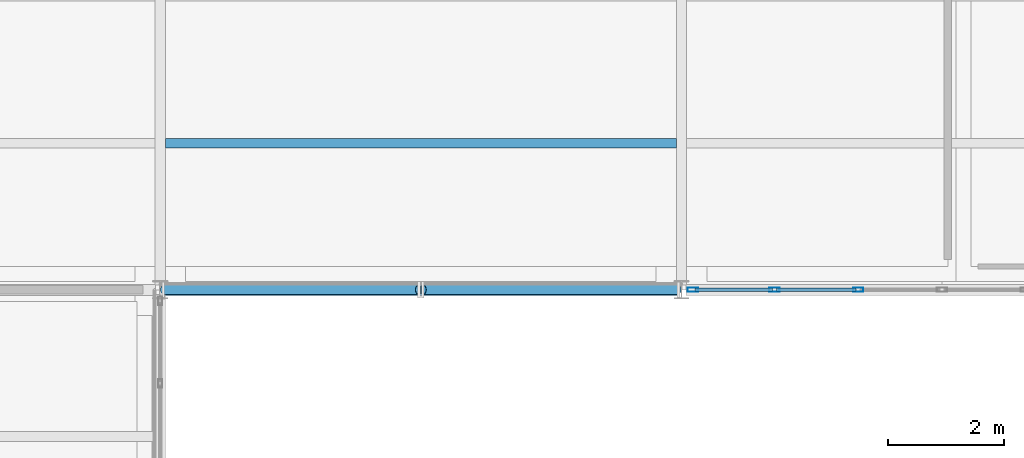
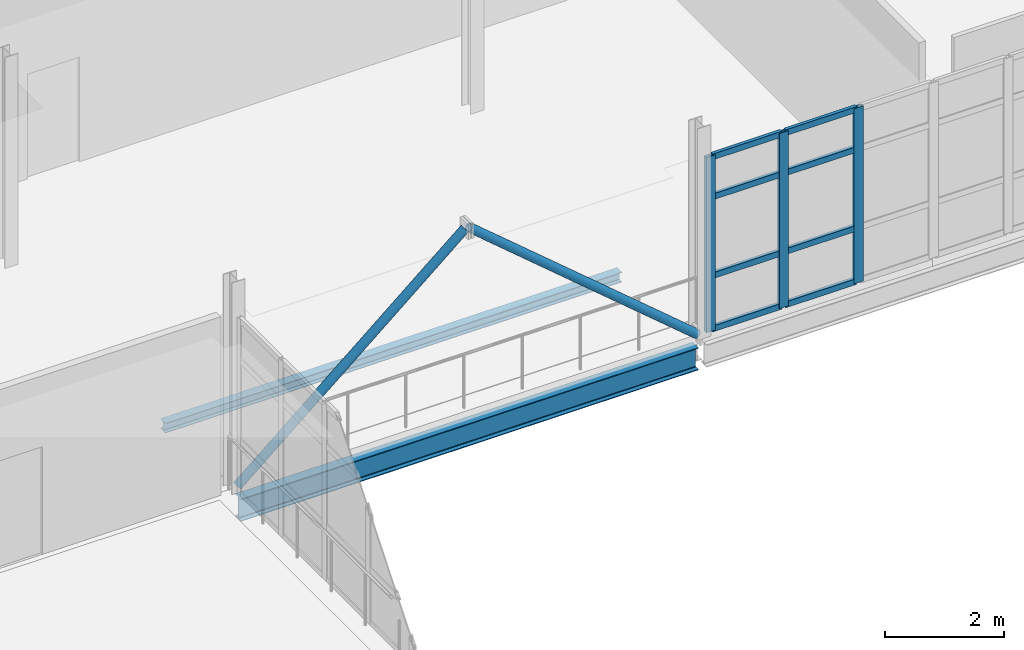
# One storey, part 83 of 174: 13 members, 2 beams, 1 element without a shape of its own.
"""IFC4 building model written with IfcOpenShell, lengths in metres."""

from ifc_helpers import new_model, si_unit, direction, frame, origin, origin_2d, place, context, subcontext, project, spatial, hollow_rectangle, hollow_circle, i_section, extrude, material, material_profile, profile_set, type_object, element, aggregate, save


model = new_model("IFC4")

# Units and contexts
model_context = context("Model", 3, precision=1e-05, world=origin(), true_north=direction((0.0, 1.0)))
body_context = subcontext(model_context, "Body", "Model", "MODEL_VIEW")
ifc_project = project(units=[si_unit("LENGTHUNIT", "METRE"), si_unit("AREAUNIT", "SQUARE_METRE"), si_unit("VOLUMEUNIT", "CUBIC_METRE"), si_unit("PLANEANGLEUNIT", "RADIAN"), si_unit("MASSUNIT", "GRAM", prefix="KILO")], contexts=[model_context])

# Site, building, storey
site_placement = place(None, origin())
site = spatial("IfcSite", under=ifc_project, at=site_placement, CompositionType="ELEMENT")
building_placement = place(site_placement, origin())
building = spatial("IfcBuilding", under=site, at=building_placement, Name="Caisbarro Railhouse Central Library", CompositionType="ELEMENT")
storey_placement = place(building_placement, frame((0.0, 0.0, 5.0400390625)))
storey = spatial("IfcBuildingStorey", under=building, at=storey_placement, Name="L01", CompositionType="ELEMENT", Elevation=5.0400390625)

# Beams
ifc_material_1 = material(Name="Steel ASTM A572 Grade 50", Category="steel")
ifc_material_profile_1 = material_profile(ifc_material_1, i_section(OverallWidth=0.1650390625, OverallDepth=0.200927734375, WebThickness=0.006103515625, FlangeThickness=0.01025390625, FilletRadius=0.010009765625, at=origin_2d()), Name="W200X35.9")
ifc_profile_set_1 = profile_set([ifc_material_profile_1], Name="Steel ASTM A572 Grade 50")
beam_type_1 = type_object("IfcBeamType", Name="BM-J06", PredefinedType="JOIST", material=ifc_profile_set_1)
beam_1_placement = place(storey_placement, frame((63.089111328125, 86.13330078125, -0.300537109375), z_axis=(1.0, 0.0, 0.0), x_axis=(0.0, 1.0, 0.0)))
element("IfcBeam", 1, at=beam_1_placement, inside=storey, type_object=beam_type_1, Name="J06 beam L01 #1216", PredefinedType="JOIST", context=body_context, shape_type="SweptSolid", body=[
    extrude(i_section(OverallWidth=0.1650390625, OverallDepth=0.200927734375, WebThickness=0.006103515625, FlangeThickness=0.01025390625, FilletRadius=0.010009765625, at=origin_2d()), origin(), (0.0, 0.0, 1.0), 8.82177734375),
])
ifc_material_profile_2 = material_profile(ifc_material_1, i_section(OverallWidth=0.18994140625, OverallDepth=0.45703125, WebThickness=0.009033203125, FlangeThickness=0.014404296875, FilletRadius=0.01806640625, at=origin_2d()), Name="W460X74.0")
ifc_profile_set_2 = profile_set([ifc_material_profile_2], Name="Steel ASTM A572 Grade 50")
beam_type_2 = type_object("IfcBeamType", Name="BM-SP01", PredefinedType="SPANDREL", material=ifc_profile_set_2)
beam_2_placement = place(storey_placement, frame((63.080078125, 83.60009765625, -0.428466796875), z_axis=(1.0, 0.0, 0.0), x_axis=(0.0, 1.0, 0.0)))
element("IfcBeam", 2, at=beam_2_placement, inside=storey, type_object=beam_type_2, Name="SP01 beam L01 #1160", PredefinedType="SPANDREL", context=body_context, shape_type="SweptSolid", body=[
    extrude(i_section(OverallWidth=0.18994140625, OverallDepth=0.45703125, WebThickness=0.009033203125, FlangeThickness=0.014404296875, FilletRadius=0.01806640625, at=origin_2d()), origin(), (0.0, 0.0, 1.0), 8.83984375),
])

# Curtain wall, members
ifc_material_2 = material(Name="Anodised architectural aluminium", Category="aluminium")
curtain_wall_type = type_object("IfcCurtainWallType", Name="CW-CW02", PredefinedType="NOTDEFINED", material=ifc_material_2)
curtain_wall_placement = place(storey_placement, origin())
curtain_wall = element("IfcCurtainWall", 3, at=curtain_wall_placement, inside=storey, type_object=curtain_wall_type, Name="CW02 curtain wall L01 #174", PredefinedType="NOTDEFINED")
ifc_material_profile_3 = material_profile(ifc_material_2, hollow_rectangle(XDim=0.074951171875, YDim=0.179931640625, WallThickness=0.00439453125, at=origin_2d()), Name="ALU-MUL-75X180")
ifc_profile_set_3 = profile_set([ifc_material_profile_3], Name="Anodised architectural aluminium")
member_type_1 = type_object("IfcMemberType", Name="CWM-M01", PredefinedType="MULLION", material=ifc_profile_set_3)
member_1_placement = place(storey_placement, frame((72.197509765625, 83.60009765625, 0.0), z_axis=(0.0, 0.0, 1.0), x_axis=(0.0, 1.0, 0.0)))
member_1 = element("IfcMember", 4, at=member_1_placement, type_object=member_type_1, Name="CW02 mullion 1", PredefinedType="MULLION", context=body_context, shape_type="SweptSolid", body=[
    extrude(hollow_rectangle(XDim=0.074951171875, YDim=0.179931640625, WallThickness=0.00439453125, at=origin_2d()), origin(), (0.0, 0.0, 1.0), 3.580078125),
])
member_2_placement = place(storey_placement, frame((73.606689453125, 83.60009765625, 0.0), z_axis=(0.0, 0.0, 1.0), x_axis=(0.0, 1.0, 0.0)))
member_2 = element("IfcMember", 5, at=member_2_placement, type_object=member_type_1, Name="CW02 mullion 2", PredefinedType="MULLION", context=body_context, shape_type="SweptSolid", body=[
    extrude(hollow_rectangle(XDim=0.074951171875, YDim=0.179931640625, WallThickness=0.00439453125, at=origin_2d()), origin(), (0.0, 0.0, 1.0), 3.580078125),
])
member_3_placement = place(storey_placement, frame((75.05322265625, 83.60009765625, 0.0), z_axis=(0.0, 0.0, 1.0), x_axis=(0.0, 1.0, 0.0)))
member_3 = element("IfcMember", 6, at=member_3_placement, type_object=member_type_1, Name="CW02 mullion 3", PredefinedType="MULLION", context=body_context, shape_type="SweptSolid", body=[
    extrude(hollow_rectangle(XDim=0.074951171875, YDim=0.179931640625, WallThickness=0.00439453125, at=origin_2d()), origin(), (0.0, 0.0, 1.0), 3.580078125),
])
ifc_material_profile_4 = material_profile(ifc_material_2, hollow_rectangle(XDim=0.06494140625, YDim=0.1201171875, WallThickness=0.00341796875, at=origin_2d()), Name="ALU-TRN-65X120")
ifc_profile_set_4 = profile_set([ifc_material_profile_4], Name="Anodised architectural aluminium")
member_type_2 = type_object("IfcMemberType", Name="CWT-T02", PredefinedType="USERDEFINED", material=ifc_profile_set_4)
member_4_placement = place(storey_placement, frame((72.235107421875, 83.60009765625, 0.032470703125), z_axis=(1.0, 0.0, 0.0), x_axis=(0.0, 1.0, 0.0)))
member_4 = element("IfcMember", 7, at=member_4_placement, type_object=member_type_2, Name="CW02 transom 1.1", ObjectType="TRANSOM", PredefinedType="USERDEFINED", context=body_context, shape_type="SweptSolid", body=[
    extrude(hollow_rectangle(XDim=0.06494140625, YDim=0.1201171875, WallThickness=0.00341796875, at=origin_2d()), origin(), (0.0, 0.0, 1.0), 1.333984375),
])
member_5_placement = place(storey_placement, frame((72.235107421875, 83.60009765625, 1.119873046875), z_axis=(1.0, 0.0, 0.0), x_axis=(0.0, 1.0, 0.0)))
member_5 = element("IfcMember", 8, at=member_5_placement, type_object=member_type_2, Name="CW02 transom 1.2", ObjectType="TRANSOM", PredefinedType="USERDEFINED", context=body_context, shape_type="SweptSolid", body=[
    extrude(hollow_rectangle(XDim=0.06494140625, YDim=0.1201171875, WallThickness=0.00341796875, at=origin_2d()), origin(), (0.0, 0.0, 1.0), 1.333984375),
])
member_6_placement = place(storey_placement, frame((72.235107421875, 83.60009765625, 2.72998046875), z_axis=(1.0, 0.0, 0.0), x_axis=(0.0, 1.0, 0.0)))
member_6 = element("IfcMember", 9, at=member_6_placement, type_object=member_type_2, Name="CW02 transom 1.3", ObjectType="TRANSOM", PredefinedType="USERDEFINED", context=body_context, shape_type="SweptSolid", body=[
    extrude(hollow_rectangle(XDim=0.06494140625, YDim=0.1201171875, WallThickness=0.00341796875, at=origin_2d()), origin(), (0.0, 0.0, 1.0), 1.333984375),
])
member_7_placement = place(storey_placement, frame((72.235107421875, 83.60009765625, 3.54736328125), z_axis=(1.0, 0.0, 0.0), x_axis=(0.0, 1.0, 0.0)))
member_7 = element("IfcMember", 10, at=member_7_placement, type_object=member_type_2, Name="CW02 transom 1.4", ObjectType="TRANSOM", PredefinedType="USERDEFINED", context=body_context, shape_type="SweptSolid", body=[
    extrude(hollow_rectangle(XDim=0.06494140625, YDim=0.1201171875, WallThickness=0.00341796875, at=origin_2d()), origin(), (0.0, 0.0, 1.0), 1.333984375),
])
member_8_placement = place(storey_placement, frame((73.644287109375, 83.60009765625, 0.032470703125), z_axis=(1.0, 0.0, 0.0), x_axis=(0.0, 1.0, 0.0)))
member_8 = element("IfcMember", 11, at=member_8_placement, type_object=member_type_2, Name="CW02 transom 2.1", ObjectType="TRANSOM", PredefinedType="USERDEFINED", context=body_context, shape_type="SweptSolid", body=[
    extrude(hollow_rectangle(XDim=0.06494140625, YDim=0.1201171875, WallThickness=0.00341796875, at=origin_2d()), origin(), (0.0, 0.0, 1.0), 1.37158203125),
])
member_9_placement = place(storey_placement, frame((73.644287109375, 83.60009765625, 1.119873046875), z_axis=(1.0, 0.0, 0.0), x_axis=(0.0, 1.0, 0.0)))
member_9 = element("IfcMember", 12, at=member_9_placement, type_object=member_type_2, Name="CW02 transom 2.2", ObjectType="TRANSOM", PredefinedType="USERDEFINED", context=body_context, shape_type="SweptSolid", body=[
    extrude(hollow_rectangle(XDim=0.06494140625, YDim=0.1201171875, WallThickness=0.00341796875, at=origin_2d()), origin(), (0.0, 0.0, 1.0), 1.37158203125),
])
member_10_placement = place(storey_placement, frame((73.644287109375, 83.60009765625, 2.72998046875), z_axis=(1.0, 0.0, 0.0), x_axis=(0.0, 1.0, 0.0)))
member_10 = element("IfcMember", 13, at=member_10_placement, type_object=member_type_2, Name="CW02 transom 2.3", ObjectType="TRANSOM", PredefinedType="USERDEFINED", context=body_context, shape_type="SweptSolid", body=[
    extrude(hollow_rectangle(XDim=0.06494140625, YDim=0.1201171875, WallThickness=0.00341796875, at=origin_2d()), origin(), (0.0, 0.0, 1.0), 1.37158203125),
])
member_11_placement = place(storey_placement, frame((73.644287109375, 83.60009765625, 3.54736328125), z_axis=(1.0, 0.0, 0.0), x_axis=(0.0, 1.0, 0.0)))
member_11 = element("IfcMember", 14, at=member_11_placement, type_object=member_type_2, Name="CW02 transom 2.4", ObjectType="TRANSOM", PredefinedType="USERDEFINED", context=body_context, shape_type="SweptSolid", body=[
    extrude(hollow_rectangle(XDim=0.06494140625, YDim=0.1201171875, WallThickness=0.00341796875, at=origin_2d()), origin(), (0.0, 0.0, 1.0), 1.37158203125),
])
aggregate(curtain_wall, [member_1, member_2, member_3, member_4, member_5, member_6, member_7, member_8, member_9, member_10, member_11])

# Members
ifc_material_profile_5 = material_profile(ifc_material_1, hollow_circle(Radius=0.084228515625, WallThickness=0.008056640625, at=origin_2d()), Name="CHS168.3X8")
ifc_profile_set_5 = profile_set([ifc_material_profile_5], Name="Steel ASTM A572 Grade 50")
member_type_3 = type_object("IfcMemberType", Name="MEM-BR04", PredefinedType="BRACE", material=ifc_profile_set_5)
for number, where, z_axis, x_axis, name in (
    (15, (63.06005859375, 83.60009765625, 0.02001953125), (0.76364499123, 0.0, 0.645636373952), (0.0, 1.0, 0.0), "BR04 chevron brace X63-N L01.1"),
    (16, (71.93994140625, 83.60009765625, 0.02001953125), (-0.76364499123, 0.0, 0.645636373952), (0.0, -1.0, 0.0), "BR04 chevron brace X63-N L01.2"),
):
    element("IfcMember", number, at=place(storey_placement, frame(where, z_axis=z_axis, x_axis=x_axis)), inside=storey, type_object=member_type_3, Name=name, PredefinedType="BRACE", context=body_context, shape_type="SweptSolid", body=[
        extrude(hollow_circle(Radius=0.084228515625, WallThickness=0.008056640625, at=origin_2d()), origin(), (0.0, 0.0, 1.0), 5.76171875),
    ])

save(model, "model.ifc")
